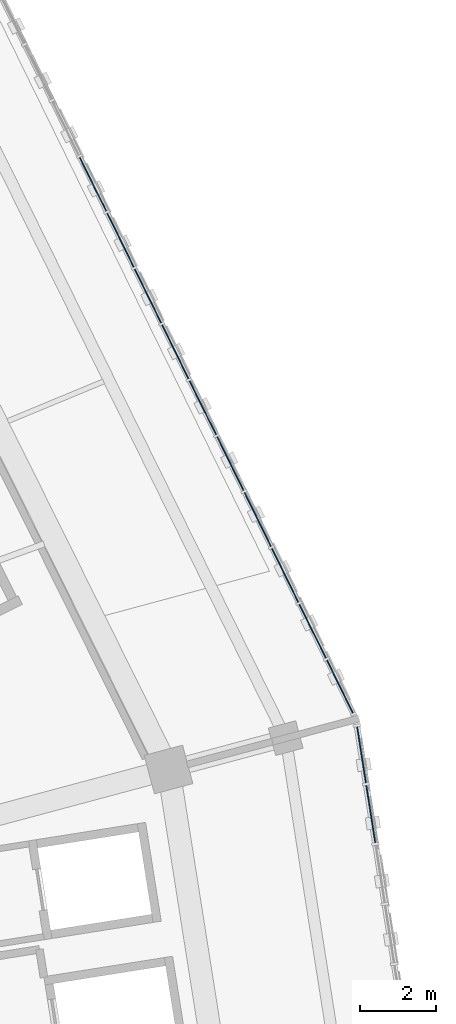
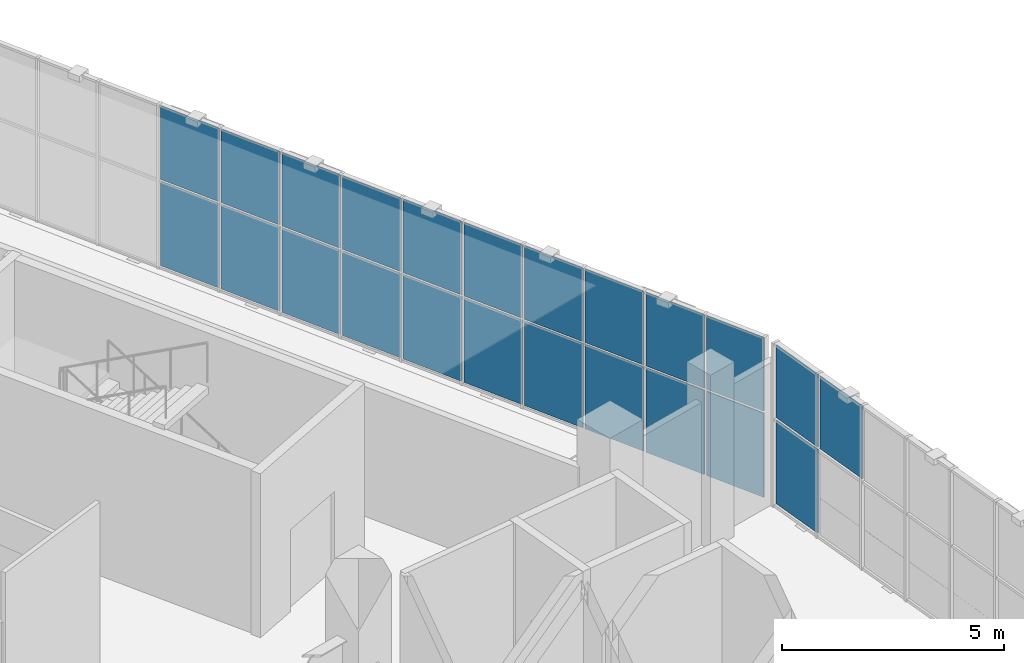
# One storey, part 88 of 179: 23 plates, 2 elements without a shape of their own.
"""IFC4 building model written with IfcOpenShell, lengths in metres."""

from ifc_helpers import new_model, si_unit, direction, frame, origin, origin_2d, place, context, subcontext, project, spatial, rectangle, extrude, material, layer, layer_set, type_object, element, aggregate, save


model = new_model("IFC4")

# Units and contexts
model_context = context("Model", 3, precision=1e-05, world=origin(), true_north=direction((0.0, 1.0)))
body_context = subcontext(model_context, "Body", "Model", "MODEL_VIEW")
ifc_project = project(units=[si_unit("LENGTHUNIT", "METRE"), si_unit("AREAUNIT", "SQUARE_METRE"), si_unit("VOLUMEUNIT", "CUBIC_METRE"), si_unit("PLANEANGLEUNIT", "RADIAN"), si_unit("MASSUNIT", "GRAM", prefix="KILO")], contexts=[model_context])

# Site, building, storey
site_placement = place(None, origin())
site = spatial("IfcSite", under=ifc_project, at=site_placement, CompositionType="ELEMENT")
building_placement = place(site_placement, origin())
building = spatial("IfcBuilding", under=site, at=building_placement, Name="Zevraka Park Crest Stadium", CompositionType="ELEMENT")
storey_placement = place(building_placement, frame((0.0, 0.0, 10.199951171875)))
storey = spatial("IfcBuildingStorey", under=building, at=storey_placement, Name="L02", CompositionType="ELEMENT", Elevation=10.199951171875)

# Curtain wall, plates
ifc_material_1 = material(Name="Anodised architectural aluminium and laminated safety glass", Category="aluminium")
curtain_wall_type_1 = type_object("IfcCurtainWallType", Name="CW06", PredefinedType="NOTDEFINED", material=ifc_material_1)
curtain_wall_1_placement = place(storey_placement, origin())
curtain_wall_1 = element("IfcCurtainWall", 1, at=curtain_wall_1_placement, inside=storey, type_object=curtain_wall_type_1, Name="Unitised Ring Curtain Wall CW06 L02-00", PredefinedType="NOTDEFINED")
ifc_material_2 = material(Name="Solar-control laminated double glazing", Category="glass")
ifc_layer_1 = layer(ifc_material_2, 0.028076171875)
ifc_layer_set_1 = layer_set([ifc_layer_1], Name="Solar-control laminated double glazing")
plate_type_1 = type_object("IfcPlateType", Name="CP06", PredefinedType="CURTAIN_PANEL", material=ifc_layer_set_1)
plate_1_placement = place(storey_placement, frame((204.559326171875, 110.31201171875, 2.43505859375), z_axis=(0.0, 0.0, 1.0), x_axis=(-0.154274252598, 0.988028063865, 0.0)))
plate_1 = element("IfcPlate", 2, at=plate_1_placement, type_object=plate_type_1, Name="CW06 panel 12.2", PredefinedType="CURTAIN_PANEL", context=body_context, shape_type="SweptSolid", body=[
    extrude(rectangle(XDim=1.530517578125, YDim=0.028076171875, at=origin_2d()), origin(), (0.0, 0.0, 1.0), 1.9951171875),
])
plate_2_placement = place(storey_placement, frame((204.315185546875, 111.8759765625, 0.070068359375), z_axis=(0.0, 0.0, 1.0), x_axis=(-0.154274252598, 0.988028063865, 0.0)))
plate_2 = element("IfcPlate", 3, at=plate_2_placement, type_object=plate_type_1, Name="CW06 panel 13.1", PredefinedType="CURTAIN_PANEL", context=body_context, shape_type="SweptSolid", body=[
    extrude(rectangle(XDim=1.49560546875, YDim=0.028076171875, at=origin_2d()), origin(), (0.0, 0.0, 1.0), 2.294921875),
])
plate_3_placement = place(storey_placement, frame((204.315185546875, 111.8759765625, 2.43505859375), z_axis=(0.0, 0.0, 1.0), x_axis=(-0.154274252598, 0.988028063865, 0.0)))
plate_3 = element("IfcPlate", 4, at=plate_3_placement, type_object=plate_type_1, Name="CW06 panel 13.2", PredefinedType="CURTAIN_PANEL", context=body_context, shape_type="SweptSolid", body=[
    extrude(rectangle(XDim=1.49560546875, YDim=0.028076171875, at=origin_2d()), origin(), (0.0, 0.0, 1.0), 1.9951171875),
])
aggregate(curtain_wall_1, [plate_1, plate_2, plate_3])

ifc_material_3 = material(Name="Anodised architectural aluminium and laminated safety glass", Category="aluminium")
curtain_wall_type_2 = type_object("IfcCurtainWallType", Name="CW07", PredefinedType="NOTDEFINED", material=ifc_material_3)
curtain_wall_2_placement = place(storey_placement, origin())
curtain_wall_2 = element("IfcCurtainWall", 5, at=curtain_wall_2_placement, inside=storey, type_object=curtain_wall_type_2, Name="Unitised Ring Curtain Wall CW07 L02-01", PredefinedType="NOTDEFINED")
ifc_material_4 = material(Name="Solar-control laminated double glazing", Category="glass")
ifc_layer_2 = layer(ifc_material_4, 0.028076171875)
ifc_layer_set_2 = layer_set([ifc_layer_2], Name="Solar-control laminated double glazing")
plate_type_2 = type_object("IfcPlateType", Name="CP07", PredefinedType="CURTAIN_PANEL", material=ifc_layer_set_2)
plate_4_placement = place(storey_placement, frame((203.7431640625, 113.675537109375, 0.06005859375), z_axis=(0.0, 0.0, 1.0), x_axis=(-0.441021032455, 0.897496768201, 0.0)))
plate_4 = element("IfcPlate", 6, at=plate_4_placement, type_object=plate_type_2, Name="CW07 panel 1.1", PredefinedType="CURTAIN_PANEL", context=body_context, shape_type="SweptSolid", body=[
    extrude(rectangle(XDim=1.552490234375, YDim=0.028076171875, at=origin_2d()), origin(), (0.0, 0.0, 1.0), 2.31005859375),
])
plate_5_placement = place(storey_placement, frame((203.7431640625, 113.675537109375, 2.43017578125), z_axis=(0.0, 0.0, 1.0), x_axis=(-0.441021032455, 0.897496768201, 0.0)))
plate_5 = element("IfcPlate", 7, at=plate_5_placement, type_object=plate_type_2, Name="CW07 panel 1.2", PredefinedType="CURTAIN_PANEL", context=body_context, shape_type="SweptSolid", body=[
    extrude(rectangle(XDim=1.552490234375, YDim=0.028076171875, at=origin_2d()), origin(), (0.0, 0.0, 1.0), 2.010009765625),
])
plate_6_placement = place(storey_placement, frame((203.025390625, 115.13623046875, 0.06005859375), z_axis=(0.0, 0.0, 1.0), x_axis=(-0.441021032455, 0.897496768201, 0.0)))
plate_6 = element("IfcPlate", 8, at=plate_6_placement, type_object=plate_type_2, Name="CW07 panel 2.1", PredefinedType="CURTAIN_PANEL", context=body_context, shape_type="SweptSolid", body=[
    extrude(rectangle(XDim=1.58251953125, YDim=0.028076171875, at=origin_2d()), origin(), (0.0, 0.0, 1.0), 2.31005859375),
])
plate_7_placement = place(storey_placement, frame((203.025390625, 115.13623046875, 2.43017578125), z_axis=(0.0, 0.0, 1.0), x_axis=(-0.441021032455, 0.897496768201, 0.0)))
plate_7 = element("IfcPlate", 9, at=plate_7_placement, type_object=plate_type_2, Name="CW07 panel 2.2", PredefinedType="CURTAIN_PANEL", context=body_context, shape_type="SweptSolid", body=[
    extrude(rectangle(XDim=1.58251953125, YDim=0.028076171875, at=origin_2d()), origin(), (0.0, 0.0, 1.0), 2.010009765625),
])
plate_8_placement = place(storey_placement, frame((202.301025390625, 116.6103515625, 0.06005859375), z_axis=(0.0, 0.0, 1.0), x_axis=(-0.441021032455, 0.897496768201, 0.0)))
plate_8 = element("IfcPlate", 10, at=plate_8_placement, type_object=plate_type_2, Name="CW07 panel 3.1", PredefinedType="CURTAIN_PANEL", context=body_context, shape_type="SweptSolid", body=[
    extrude(rectangle(XDim=1.58251953125, YDim=0.028076171875, at=origin_2d()), origin(), (0.0, 0.0, 1.0), 2.31005859375),
])
plate_9_placement = place(storey_placement, frame((202.301025390625, 116.6103515625, 2.43017578125), z_axis=(0.0, 0.0, 1.0), x_axis=(-0.441021032455, 0.897496768201, 0.0)))
plate_9 = element("IfcPlate", 11, at=plate_9_placement, type_object=plate_type_2, Name="CW07 panel 3.2", PredefinedType="CURTAIN_PANEL", context=body_context, shape_type="SweptSolid", body=[
    extrude(rectangle(XDim=1.58251953125, YDim=0.028076171875, at=origin_2d()), origin(), (0.0, 0.0, 1.0), 2.010009765625),
])
plate_10_placement = place(storey_placement, frame((201.57666015625, 118.08447265625, 0.06005859375), z_axis=(0.0, 0.0, 1.0), x_axis=(-0.441021032455, 0.897496768201, 0.0)))
plate_10 = element("IfcPlate", 12, at=plate_10_placement, type_object=plate_type_2, Name="CW07 panel 4.1", PredefinedType="CURTAIN_PANEL", context=body_context, shape_type="SweptSolid", body=[
    extrude(rectangle(XDim=1.58251953125, YDim=0.028076171875, at=origin_2d()), origin(), (0.0, 0.0, 1.0), 2.31005859375),
])
plate_11_placement = place(storey_placement, frame((201.57666015625, 118.08447265625, 2.43017578125), z_axis=(0.0, 0.0, 1.0), x_axis=(-0.441021032455, 0.897496768201, 0.0)))
plate_11 = element("IfcPlate", 13, at=plate_11_placement, type_object=plate_type_2, Name="CW07 panel 4.2", PredefinedType="CURTAIN_PANEL", context=body_context, shape_type="SweptSolid", body=[
    extrude(rectangle(XDim=1.58251953125, YDim=0.028076171875, at=origin_2d()), origin(), (0.0, 0.0, 1.0), 2.010009765625),
])
plate_12_placement = place(storey_placement, frame((200.852294921875, 119.55859375, 0.06005859375), z_axis=(0.0, 0.0, 1.0), x_axis=(-0.441021032455, 0.897496768201, 0.0)))
plate_12 = element("IfcPlate", 14, at=plate_12_placement, type_object=plate_type_2, Name="CW07 panel 5.1", PredefinedType="CURTAIN_PANEL", context=body_context, shape_type="SweptSolid", body=[
    extrude(rectangle(XDim=1.58251953125, YDim=0.028076171875, at=origin_2d()), origin(), (0.0, 0.0, 1.0), 2.31005859375),
])
plate_13_placement = place(storey_placement, frame((200.852294921875, 119.55859375, 2.43017578125), z_axis=(0.0, 0.0, 1.0), x_axis=(-0.441021032455, 0.897496768201, 0.0)))
plate_13 = element("IfcPlate", 15, at=plate_13_placement, type_object=plate_type_2, Name="CW07 panel 5.2", PredefinedType="CURTAIN_PANEL", context=body_context, shape_type="SweptSolid", body=[
    extrude(rectangle(XDim=1.58251953125, YDim=0.028076171875, at=origin_2d()), origin(), (0.0, 0.0, 1.0), 2.010009765625),
])
plate_14_placement = place(storey_placement, frame((200.1279296875, 121.032958984375, 0.06005859375), z_axis=(0.0, 0.0, 1.0), x_axis=(-0.441021032455, 0.897496768201, 0.0)))
plate_14 = element("IfcPlate", 16, at=plate_14_placement, type_object=plate_type_2, Name="CW07 panel 6.1", PredefinedType="CURTAIN_PANEL", context=body_context, shape_type="SweptSolid", body=[
    extrude(rectangle(XDim=1.58251953125, YDim=0.028076171875, at=origin_2d()), origin(), (0.0, 0.0, 1.0), 2.31005859375),
])
plate_15_placement = place(storey_placement, frame((200.1279296875, 121.032958984375, 2.43017578125), z_axis=(0.0, 0.0, 1.0), x_axis=(-0.441021032455, 0.897496768201, 0.0)))
plate_15 = element("IfcPlate", 17, at=plate_15_placement, type_object=plate_type_2, Name="CW07 panel 6.2", PredefinedType="CURTAIN_PANEL", context=body_context, shape_type="SweptSolid", body=[
    extrude(rectangle(XDim=1.58251953125, YDim=0.028076171875, at=origin_2d()), origin(), (0.0, 0.0, 1.0), 2.010009765625),
])
plate_16_placement = place(storey_placement, frame((199.403564453125, 122.507080078125, 0.06005859375), z_axis=(0.0, 0.0, 1.0), x_axis=(-0.441021032455, 0.897496768201, 0.0)))
plate_16 = element("IfcPlate", 18, at=plate_16_placement, type_object=plate_type_2, Name="CW07 panel 7.1", PredefinedType="CURTAIN_PANEL", context=body_context, shape_type="SweptSolid", body=[
    extrude(rectangle(XDim=1.58251953125, YDim=0.028076171875, at=origin_2d()), origin(), (0.0, 0.0, 1.0), 2.31005859375),
])
plate_17_placement = place(storey_placement, frame((199.403564453125, 122.507080078125, 2.43017578125), z_axis=(0.0, 0.0, 1.0), x_axis=(-0.441021032455, 0.897496768201, 0.0)))
plate_17 = element("IfcPlate", 19, at=plate_17_placement, type_object=plate_type_2, Name="CW07 panel 7.2", PredefinedType="CURTAIN_PANEL", context=body_context, shape_type="SweptSolid", body=[
    extrude(rectangle(XDim=1.58251953125, YDim=0.028076171875, at=origin_2d()), origin(), (0.0, 0.0, 1.0), 2.010009765625),
])
plate_18_placement = place(storey_placement, frame((198.67919921875, 123.981201171875, 0.06005859375), z_axis=(0.0, 0.0, 1.0), x_axis=(-0.441021032455, 0.897496768201, 0.0)))
plate_18 = element("IfcPlate", 20, at=plate_18_placement, type_object=plate_type_2, Name="CW07 panel 8.1", PredefinedType="CURTAIN_PANEL", context=body_context, shape_type="SweptSolid", body=[
    extrude(rectangle(XDim=1.58251953125, YDim=0.028076171875, at=origin_2d()), origin(), (0.0, 0.0, 1.0), 2.31005859375),
])
plate_19_placement = place(storey_placement, frame((198.67919921875, 123.981201171875, 2.43017578125), z_axis=(0.0, 0.0, 1.0), x_axis=(-0.441021032455, 0.897496768201, 0.0)))
plate_19 = element("IfcPlate", 21, at=plate_19_placement, type_object=plate_type_2, Name="CW07 panel 8.2", PredefinedType="CURTAIN_PANEL", context=body_context, shape_type="SweptSolid", body=[
    extrude(rectangle(XDim=1.58251953125, YDim=0.028076171875, at=origin_2d()), origin(), (0.0, 0.0, 1.0), 2.010009765625),
])
plate_20_placement = place(storey_placement, frame((197.954833984375, 125.455322265625, 0.06005859375), z_axis=(0.0, 0.0, 1.0), x_axis=(-0.441021032455, 0.897496768201, 0.0)))
plate_20 = element("IfcPlate", 22, at=plate_20_placement, type_object=plate_type_2, Name="CW07 panel 9.1", PredefinedType="CURTAIN_PANEL", context=body_context, shape_type="SweptSolid", body=[
    extrude(rectangle(XDim=1.58251953125, YDim=0.028076171875, at=origin_2d()), origin(), (0.0, 0.0, 1.0), 2.31005859375),
])
plate_21_placement = place(storey_placement, frame((197.954833984375, 125.455322265625, 2.43017578125), z_axis=(0.0, 0.0, 1.0), x_axis=(-0.441021032455, 0.897496768201, 0.0)))
plate_21 = element("IfcPlate", 23, at=plate_21_placement, type_object=plate_type_2, Name="CW07 panel 9.2", PredefinedType="CURTAIN_PANEL", context=body_context, shape_type="SweptSolid", body=[
    extrude(rectangle(XDim=1.58251953125, YDim=0.028076171875, at=origin_2d()), origin(), (0.0, 0.0, 1.0), 2.010009765625),
])
plate_22_placement = place(storey_placement, frame((197.230224609375, 126.929443359375, 0.06005859375), z_axis=(0.0, 0.0, 1.0), x_axis=(-0.441021032455, 0.897496768201, 0.0)))
plate_22 = element("IfcPlate", 24, at=plate_22_placement, type_object=plate_type_2, Name="CW07 panel 10.1", PredefinedType="CURTAIN_PANEL", context=body_context, shape_type="SweptSolid", body=[
    extrude(rectangle(XDim=1.58251953125, YDim=0.028076171875, at=origin_2d()), origin(), (0.0, 0.0, 1.0), 2.31005859375),
])
plate_23_placement = place(storey_placement, frame((197.230224609375, 126.929443359375, 2.43017578125), z_axis=(0.0, 0.0, 1.0), x_axis=(-0.441021032455, 0.897496768201, 0.0)))
plate_23 = element("IfcPlate", 25, at=plate_23_placement, type_object=plate_type_2, Name="CW07 panel 10.2", PredefinedType="CURTAIN_PANEL", context=body_context, shape_type="SweptSolid", body=[
    extrude(rectangle(XDim=1.58251953125, YDim=0.028076171875, at=origin_2d()), origin(), (0.0, 0.0, 1.0), 2.010009765625),
])
aggregate(curtain_wall_2, [plate_4, plate_5, plate_6, plate_7, plate_8, plate_9, plate_10, plate_11, plate_12, plate_13, plate_14, plate_15, plate_16, plate_17, plate_18, plate_19, plate_20, plate_21, plate_22, plate_23])

save(model, "model.ifc")
